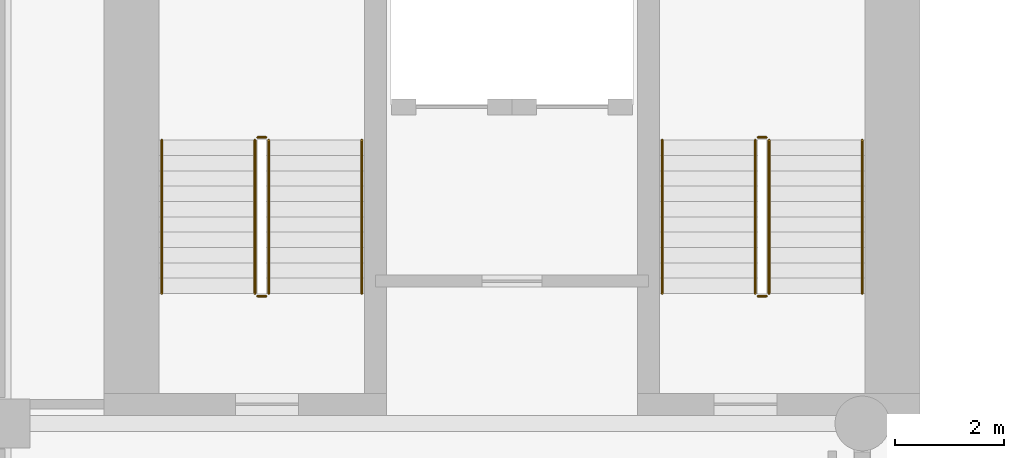
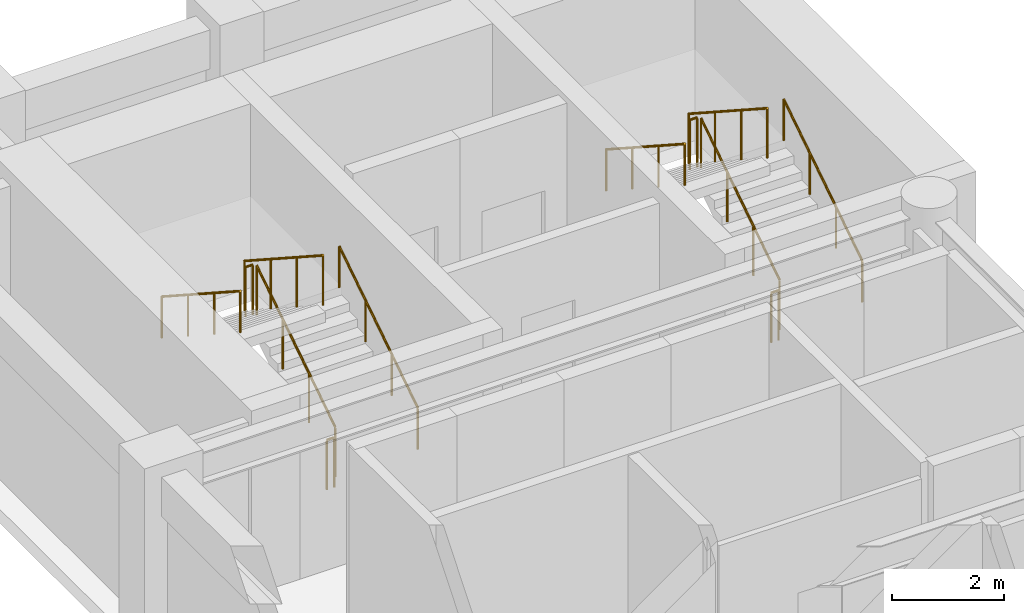
# One storey, part 6 of 7: 12 railings.
"""IFC4 building model written with IfcOpenShell, lengths in metres."""

from ifc_helpers import new_model, si_unit, direction, frame, origin, origin_2d, place, context, subcontext, project, spatial, circle, extrude, material, type_object, element, save


model = new_model("IFC4")

# Units and contexts
model_context = context("Model", 3, precision=1e-05, world=origin(), true_north=direction((0.0, 1.0)))
body_context = subcontext(model_context, "Body", "Model", "MODEL_VIEW")
ifc_project = project(units=[si_unit("LENGTHUNIT", "METRE"), si_unit("AREAUNIT", "SQUARE_METRE"), si_unit("VOLUMEUNIT", "CUBIC_METRE"), si_unit("PLANEANGLEUNIT", "RADIAN"), si_unit("MASSUNIT", "GRAM", prefix="KILO")], contexts=[model_context])

# Site, building, storey
site_placement = place(None, origin())
site = spatial("IfcSite", under=ifc_project, at=site_placement, CompositionType="ELEMENT")
building_placement = place(site_placement, origin())
building = spatial("IfcBuilding", under=site, at=building_placement, Name="Sulina Concourse Tower", CompositionType="ELEMENT")
storey_placement = place(building_placement, frame((0.0, 0.0, 26.60009765625)))
storey = spatial("IfcBuildingStorey", under=building, at=storey_placement, Name="L06", CompositionType="ELEMENT", Elevation=26.60009765625)

# Railings
ifc_material_1 = material(Name="Galvanised steel railing", Category="steel")
railing_type_1 = type_object("IfcRailingType", Name="Core Stair Steel Guardrail 1150mm", PredefinedType="GUARDRAIL", material=ifc_material_1)
railing_1_placement = place(storey_placement, frame((5.554931640625, 36.375, 0.181640625)))
element("IfcRailing", 1, at=railing_1_placement, inside=storey, type_object=railing_type_1, Name="L06 ST-1 stair guard 1", PredefinedType="GUARDRAIL", context=body_context, shape_type="SweptSolid", body=[
    extrude(circle(Radius=0.02392578125, at=origin_2d()), frame((0.0, 0.0, 1.076171875), z_axis=(0.0, 0.838672427954, 0.544636170843), x_axis=(-1.0, 0.0, 0.0)), (0.0, 0.0, 1.0), 3.338623046875),
    extrude(circle(Radius=0.02099609375, at=origin_2d()), origin(), (0.0, 0.0, 1.0), 1.052001953125),
    extrude(circle(Radius=0.02099609375, at=origin_2d()), frame((0.0, 0.933349609375, 0.606201171875)), (0.0, 0.0, 1.0), 1.052001953125),
    extrude(circle(Radius=0.02099609375, at=origin_2d()), frame((0.0, 1.86669921875, 1.212158203125)), (0.0, 0.0, 1.0), 1.052001953125),
    extrude(circle(Radius=0.02099609375, at=origin_2d()), frame((0.0, 2.800048828125, 1.818359375)), (0.0, 0.0, 1.0), 1.052001953125),
])
railing_2_placement = place(storey_placement, frame((5.5048828125, 39.22509765625, 2.0)))
element("IfcRailing", 2, at=railing_2_placement, inside=storey, type_object=railing_type_1, Name="L06 ST-1 stair guard 2", PredefinedType="GUARDRAIL", context=body_context, shape_type="SweptSolid", body=[
    extrude(circle(Radius=0.02392578125, at=origin_2d()), frame((0.0, 0.0, 1.076171875), z_axis=(-1.0, 0.0, 0.0), x_axis=(0.0, -1.0, 0.0)), (0.0, 0.0, 1.0), 0.14990234375),
    extrude(circle(Radius=0.02099609375, at=origin_2d()), origin(), (0.0, 0.0, 1.0), 1.052001953125),
    extrude(circle(Radius=0.02099609375, at=origin_2d()), frame((-0.14990234375, 0.0, 0.0)), (0.0, 0.0, 1.0), 1.052001953125),
])
railing_3_placement = place(storey_placement, frame((5.304931640625, 39.175048828125, 2.181640625)))
element("IfcRailing", 3, at=railing_3_placement, inside=storey, type_object=railing_type_1, Name="L06 ST-1 stair guard 3", PredefinedType="GUARDRAIL", context=body_context, shape_type="SweptSolid", body=[
    extrude(circle(Radius=0.02392578125, at=origin_2d()), frame((0.0, 0.0, 1.076171875), z_axis=(0.0, -0.838672427954, 0.544636170843), x_axis=(1.0, 0.0, 0.0)), (0.0, 0.0, 1.0), 3.338623046875),
    extrude(circle(Radius=0.02099609375, at=origin_2d()), origin(), (0.0, 0.0, 1.0), 1.052001953125),
    extrude(circle(Radius=0.02099609375, at=origin_2d()), frame((0.0, -0.933349609375, 0.606201171875)), (0.0, 0.0, 1.0), 1.052001953125),
    extrude(circle(Radius=0.02099609375, at=origin_2d()), frame((0.0, -1.86669921875, 1.212158203125)), (0.0, 0.0, 1.0), 1.052001953125),
    extrude(circle(Radius=0.02099609375, at=origin_2d()), frame((0.0, -2.800048828125, 1.818359375)), (0.0, 0.0, 1.0), 1.052001953125),
])
railing_4_placement = place(storey_placement, frame((5.5048828125, 36.324951171875, 0.0)))
element("IfcRailing", 4, at=railing_4_placement, inside=storey, type_object=railing_type_1, Name="L06 ST-1 stair guard 4", PredefinedType="GUARDRAIL", context=body_context, shape_type="SweptSolid", body=[
    extrude(circle(Radius=0.02392578125, at=origin_2d()), frame((0.0, 0.0, 1.076171875), z_axis=(-1.0, 0.0, 0.0), x_axis=(0.0, -1.0, 0.0)), (0.0, 0.0, 1.0), 0.14990234375),
    extrude(circle(Radius=0.02099609375, at=origin_2d()), origin(), (0.0, 0.0, 1.0), 1.052001953125),
    extrude(circle(Radius=0.02099609375, at=origin_2d()), frame((-0.14990234375, 0.0, 0.0)), (0.0, 0.0, 1.0), 1.052001953125),
])
railing_5_placement = place(storey_placement, frame((14.695068359375, 36.375, 0.181640625)))
element("IfcRailing", 5, at=railing_5_placement, inside=storey, type_object=railing_type_1, Name="L06 ST-2 stair guard 1", PredefinedType="GUARDRAIL", context=body_context, shape_type="SweptSolid", body=[
    extrude(circle(Radius=0.02392578125, at=origin_2d()), frame((0.0, 0.0, 1.076171875), z_axis=(0.0, 0.838672427954, 0.544636170843), x_axis=(-1.0, 0.0, 0.0)), (0.0, 0.0, 1.0), 3.338623046875),
    extrude(circle(Radius=0.02099609375, at=origin_2d()), origin(), (0.0, 0.0, 1.0), 1.052001953125),
    extrude(circle(Radius=0.02099609375, at=origin_2d()), frame((0.0, 0.933349609375, 0.606201171875)), (0.0, 0.0, 1.0), 1.052001953125),
    extrude(circle(Radius=0.02099609375, at=origin_2d()), frame((0.0, 1.86669921875, 1.212158203125)), (0.0, 0.0, 1.0), 1.052001953125),
    extrude(circle(Radius=0.02099609375, at=origin_2d()), frame((0.0, 2.800048828125, 1.818359375)), (0.0, 0.0, 1.0), 1.052001953125),
])
railing_6_placement = place(storey_placement, frame((14.64501953125, 39.22509765625, 2.0)))
element("IfcRailing", 6, at=railing_6_placement, inside=storey, type_object=railing_type_1, Name="L06 ST-2 stair guard 2", PredefinedType="GUARDRAIL", context=body_context, shape_type="SweptSolid", body=[
    extrude(circle(Radius=0.02392578125, at=origin_2d()), frame((0.0, 0.0, 1.076171875), z_axis=(-1.0, 0.0, 0.0), x_axis=(0.0, -1.0, 0.0)), (0.0, 0.0, 1.0), 0.14990234375),
    extrude(circle(Radius=0.02099609375, at=origin_2d()), origin(), (0.0, 0.0, 1.0), 1.052001953125),
    extrude(circle(Radius=0.02099609375, at=origin_2d()), frame((-0.14990234375, 0.0, 0.0)), (0.0, 0.0, 1.0), 1.052001953125),
])
railing_7_placement = place(storey_placement, frame((14.445068359375, 39.175048828125, 2.181640625)))
element("IfcRailing", 7, at=railing_7_placement, inside=storey, type_object=railing_type_1, Name="L06 ST-2 stair guard 3", PredefinedType="GUARDRAIL", context=body_context, shape_type="SweptSolid", body=[
    extrude(circle(Radius=0.02392578125, at=origin_2d()), frame((0.0, 0.0, 1.076171875), z_axis=(0.0, -0.838672427954, 0.544636170843), x_axis=(1.0, 0.0, 0.0)), (0.0, 0.0, 1.0), 3.338623046875),
    extrude(circle(Radius=0.02099609375, at=origin_2d()), origin(), (0.0, 0.0, 1.0), 1.052001953125),
    extrude(circle(Radius=0.02099609375, at=origin_2d()), frame((0.0, -0.933349609375, 0.606201171875)), (0.0, 0.0, 1.0), 1.052001953125),
    extrude(circle(Radius=0.02099609375, at=origin_2d()), frame((0.0, -1.86669921875, 1.212158203125)), (0.0, 0.0, 1.0), 1.052001953125),
    extrude(circle(Radius=0.02099609375, at=origin_2d()), frame((0.0, -2.800048828125, 1.818359375)), (0.0, 0.0, 1.0), 1.052001953125),
])
railing_8_placement = place(storey_placement, frame((14.64501953125, 36.324951171875, 0.0)))
element("IfcRailing", 8, at=railing_8_placement, inside=storey, type_object=railing_type_1, Name="L06 ST-2 stair guard 4", PredefinedType="GUARDRAIL", context=body_context, shape_type="SweptSolid", body=[
    extrude(circle(Radius=0.02392578125, at=origin_2d()), frame((0.0, 0.0, 1.076171875), z_axis=(-1.0, 0.0, 0.0), x_axis=(0.0, -1.0, 0.0)), (0.0, 0.0, 1.0), 0.14990234375),
    extrude(circle(Radius=0.02099609375, at=origin_2d()), origin(), (0.0, 0.0, 1.0), 1.052001953125),
    extrude(circle(Radius=0.02099609375, at=origin_2d()), frame((-0.14990234375, 0.0, 0.0)), (0.0, 0.0, 1.0), 1.052001953125),
])
ifc_material_2 = material(Name="Galvanised steel railing", Category="steel")
railing_type_2 = type_object("IfcRailingType", Name="Stair Wall Steel Handrail 920mm", PredefinedType="HANDRAIL", material=ifc_material_2)
railing_9_placement = place(storey_placement, frame((7.2548828125, 36.375, 0.181640625)))
element("IfcRailing", 9, at=railing_9_placement, inside=storey, type_object=railing_type_2, Name="L06 ST-1 stair handrail 1", PredefinedType="HANDRAIL", context=body_context, shape_type="SweptSolid", body=[
    extrude(circle(Radius=0.02392578125, at=origin_2d()), frame((0.0, 0.0, 0.89599609375), z_axis=(0.0, 0.838672427954, 0.544636170843), x_axis=(-1.0, 0.0, 0.0)), (0.0, 0.0, 1.0), 3.338623046875),
    extrude(circle(Radius=0.02099609375, at=origin_2d()), origin(), (0.0, 0.0, 1.0), 0.871826171875),
    extrude(circle(Radius=0.02099609375, at=origin_2d()), frame((0.0, 0.933349609375, 0.606201171875)), (0.0, 0.0, 1.0), 0.871826171875),
    extrude(circle(Radius=0.02099609375, at=origin_2d()), frame((0.0, 1.86669921875, 1.212158203125)), (0.0, 0.0, 1.0), 0.871826171875),
    extrude(circle(Radius=0.02099609375, at=origin_2d()), frame((0.0, 2.800048828125, 1.818359375)), (0.0, 0.0, 1.0), 0.871826171875),
])
railing_10_placement = place(storey_placement, frame((3.60498046875, 39.175048828125, 2.181640625)))
element("IfcRailing", 10, at=railing_10_placement, inside=storey, type_object=railing_type_2, Name="L06 ST-1 stair handrail 2", PredefinedType="HANDRAIL", context=body_context, shape_type="SweptSolid", body=[
    extrude(circle(Radius=0.02392578125, at=origin_2d()), frame((0.0, 0.0, 0.89599609375), z_axis=(0.0, -0.838672427954, 0.544636170843), x_axis=(1.0, 0.0, 0.0)), (0.0, 0.0, 1.0), 3.338623046875),
    extrude(circle(Radius=0.02099609375, at=origin_2d()), origin(), (0.0, 0.0, 1.0), 0.871826171875),
    extrude(circle(Radius=0.02099609375, at=origin_2d()), frame((0.0, -0.933349609375, 0.606201171875)), (0.0, 0.0, 1.0), 0.871826171875),
    extrude(circle(Radius=0.02099609375, at=origin_2d()), frame((0.0, -1.86669921875, 1.212158203125)), (0.0, 0.0, 1.0), 0.871826171875),
    extrude(circle(Radius=0.02099609375, at=origin_2d()), frame((0.0, -2.800048828125, 1.818359375)), (0.0, 0.0, 1.0), 0.871826171875),
])
railing_11_placement = place(storey_placement, frame((16.39501953125, 36.375, 0.181640625)))
element("IfcRailing", 11, at=railing_11_placement, inside=storey, type_object=railing_type_2, Name="L06 ST-2 stair handrail 1", PredefinedType="HANDRAIL", context=body_context, shape_type="SweptSolid", body=[
    extrude(circle(Radius=0.02392578125, at=origin_2d()), frame((0.0, 0.0, 0.89599609375), z_axis=(0.0, 0.838672427954, 0.544636170843), x_axis=(-1.0, 0.0, 0.0)), (0.0, 0.0, 1.0), 3.338623046875),
    extrude(circle(Radius=0.02099609375, at=origin_2d()), origin(), (0.0, 0.0, 1.0), 0.871826171875),
    extrude(circle(Radius=0.02099609375, at=origin_2d()), frame((0.0, 0.933349609375, 0.606201171875)), (0.0, 0.0, 1.0), 0.871826171875),
    extrude(circle(Radius=0.02099609375, at=origin_2d()), frame((0.0, 1.86669921875, 1.212158203125)), (0.0, 0.0, 1.0), 0.871826171875),
    extrude(circle(Radius=0.02099609375, at=origin_2d()), frame((0.0, 2.800048828125, 1.818359375)), (0.0, 0.0, 1.0), 0.871826171875),
])
railing_12_placement = place(storey_placement, frame((12.7451171875, 39.175048828125, 2.181640625)))
element("IfcRailing", 12, at=railing_12_placement, inside=storey, type_object=railing_type_2, Name="L06 ST-2 stair handrail 2", PredefinedType="HANDRAIL", context=body_context, shape_type="SweptSolid", body=[
    extrude(circle(Radius=0.02392578125, at=origin_2d()), frame((0.0, 0.0, 0.89599609375), z_axis=(0.0, -0.838672427954, 0.544636170843), x_axis=(1.0, 0.0, 0.0)), (0.0, 0.0, 1.0), 3.338623046875),
    extrude(circle(Radius=0.02099609375, at=origin_2d()), origin(), (0.0, 0.0, 1.0), 0.871826171875),
    extrude(circle(Radius=0.02099609375, at=origin_2d()), frame((0.0, -0.933349609375, 0.606201171875)), (0.0, 0.0, 1.0), 0.871826171875),
    extrude(circle(Radius=0.02099609375, at=origin_2d()), frame((0.0, -1.86669921875, 1.212158203125)), (0.0, 0.0, 1.0), 0.871826171875),
    extrude(circle(Radius=0.02099609375, at=origin_2d()), frame((0.0, -2.800048828125, 1.818359375)), (0.0, 0.0, 1.0), 0.871826171875),
])

save(model, "model.ifc")
